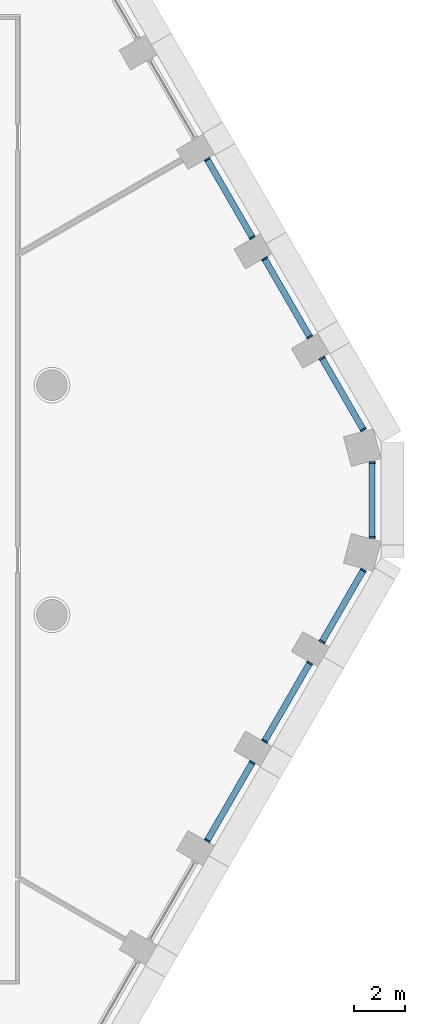
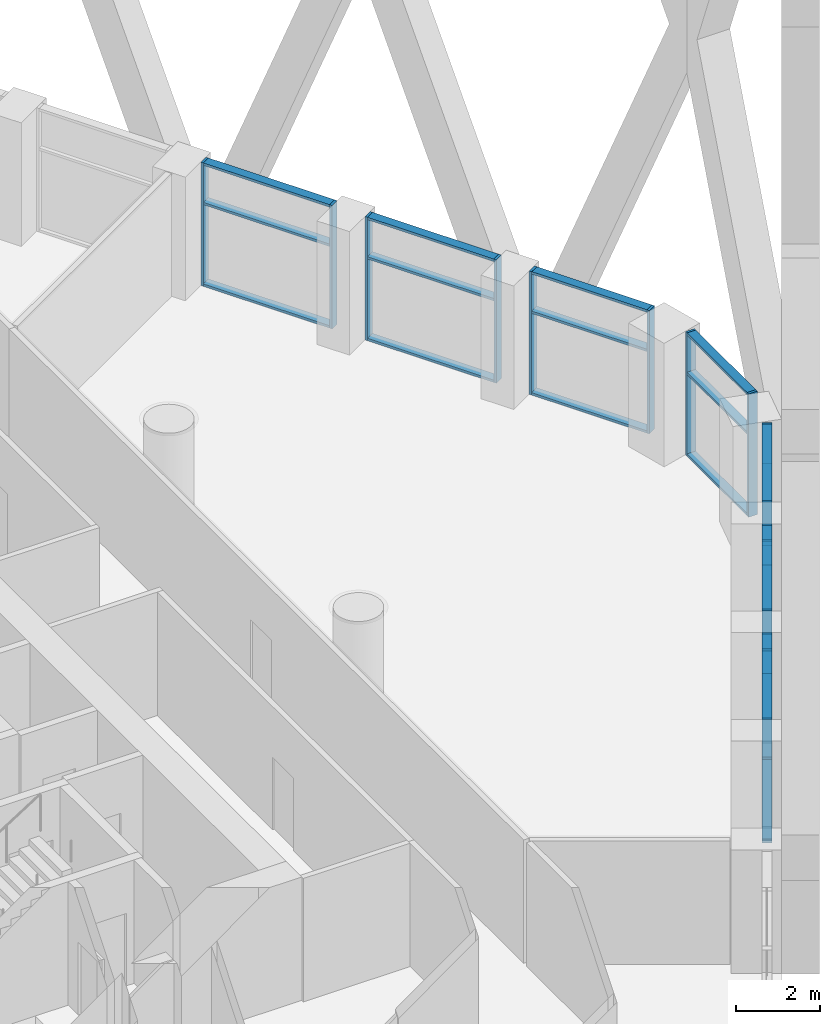
# One storey, part 6 of 24: 35 members, 7 elements without a shape of their own.
"""IFC4 building model written with IfcOpenShell, lengths in metres."""

from ifc_helpers import new_model, si_unit, direction, frame, origin, origin_2d, place, context, subcontext, project, spatial, rectangle, extrude, material, layer, layer_set, material_profile, profile_set, type_object, element, aggregate, save


model = new_model("IFC4")

# Units and contexts
model_context = context("Model", 3, precision=1e-05, world=origin(), true_north=direction((0.0, 1.0)))
body_context = subcontext(model_context, "Body", "Model", "MODEL_VIEW")
ifc_project = project(units=[si_unit("LENGTHUNIT", "METRE"), si_unit("AREAUNIT", "SQUARE_METRE"), si_unit("VOLUMEUNIT", "CUBIC_METRE"), si_unit("PLANEANGLEUNIT", "RADIAN"), si_unit("MASSUNIT", "GRAM", prefix="KILO")], contexts=[model_context])

# Site, building, storey
site_placement = place(None, origin())
site = spatial("IfcSite", under=ifc_project, at=site_placement, CompositionType="ELEMENT")
building_placement = place(site_placement, origin())
building = spatial("IfcBuilding", under=site, at=building_placement, Name="Dhurran Vertical Campus", CompositionType="ELEMENT")
storey_placement = place(building_placement, frame((0.0, 0.0, 132.60009765625)))
storey = spatial("IfcBuildingStorey", under=building, at=storey_placement, Name="L32", CompositionType="ELEMENT", Elevation=132.60009765625)

# Curtain wall, members
ifc_material_1 = material(Name="Aluminium frame with solar-control glass", Category="aluminium")
ifc_layer = layer(ifc_material_1, 0.25)
ifc_layer_set = layer_set([ifc_layer], Name="Aluminium frame with solar-control glass")
curtain_wall_type = type_object("IfcCurtainWallType", Name="Sky lobby glazing system", PredefinedType="NOTDEFINED", material=ifc_layer_set)
curtain_wall_1_placement = place(storey_placement, origin())
curtain_wall_1 = element("IfcCurtainWall", 1, at=curtain_wall_1_placement, inside=storey, type_object=curtain_wall_type, Name="CW3 L32.12", PredefinedType="NOTDEFINED")
ifc_material_2 = material(Name="Aluminium mullion", Category="aluminium")
ifc_material_profile_1 = material_profile(ifc_material_2, rectangle(XDim=0.239990234375, YDim=0.070068359375, at=origin_2d()), Name="Sky lobby glazing system mullion")
ifc_profile_set_1 = profile_set([ifc_material_profile_1], Name="Aluminium mullion")
member_type_1 = type_object("IfcMemberType", Name="Sky lobby glazing system mullion", PredefinedType="MULLION", material=ifc_profile_set_1)
member_1_placement = place(storey_placement, frame((28.5869140625, -13.345947265625, 0.0), z_axis=(0.0, 0.0, 1.0), x_axis=(-0.866023637427, 0.500003059408, 0.0)))
member_1 = element("IfcMember", 2, at=member_1_placement, type_object=member_type_1, Name="CW3 mullion 1", PredefinedType="MULLION", context=body_context, shape_type="SweptSolid", body=[
    extrude(rectangle(XDim=0.239990234375, YDim=0.070068359375, at=origin_2d()), origin(), (0.0, 0.0, 1.0), 3.574951171875),
])
member_2_placement = place(storey_placement, frame((30.351318359375, -10.289794921875, 0.0), z_axis=(0.0, 0.0, 1.0), x_axis=(-0.866023637427, 0.500003059408, 0.0)))
member_2 = element("IfcMember", 3, at=member_2_placement, type_object=member_type_1, Name="CW3 mullion 2", PredefinedType="MULLION", context=body_context, shape_type="SweptSolid", body=[
    extrude(rectangle(XDim=0.239990234375, YDim=0.070068359375, at=origin_2d()), origin(), (0.0, 0.0, 1.0), 3.574951171875),
])

curtain_wall_2_placement = place(storey_placement, origin())
curtain_wall_2 = element("IfcCurtainWall", 4, at=curtain_wall_2_placement, inside=storey, type_object=curtain_wall_type, Name="CW3 L32.13", PredefinedType="NOTDEFINED")
member_3_placement = place(storey_placement, frame((30.8369140625, -9.44873046875, 0.0), z_axis=(0.0, 0.0, 1.0), x_axis=(-0.866023637427, 0.500003059408, 0.0)))
member_3 = element("IfcMember", 5, at=member_3_placement, type_object=member_type_1, Name="CW3 mullion 1", PredefinedType="MULLION", context=body_context, shape_type="SweptSolid", body=[
    extrude(rectangle(XDim=0.239990234375, YDim=0.070068359375, at=origin_2d()), origin(), (0.0, 0.0, 1.0), 3.574951171875),
])
member_4_placement = place(storey_placement, frame((32.601318359375, -6.392578125, 0.0), z_axis=(0.0, 0.0, 1.0), x_axis=(-0.866023637427, 0.500003059408, 0.0)))
member_4 = element("IfcMember", 6, at=member_4_placement, type_object=member_type_1, Name="CW3 mullion 2", PredefinedType="MULLION", context=body_context, shape_type="SweptSolid", body=[
    extrude(rectangle(XDim=0.239990234375, YDim=0.070068359375, at=origin_2d()), origin(), (0.0, 0.0, 1.0), 3.574951171875),
])

curtain_wall_3_placement = place(storey_placement, origin())
curtain_wall_3 = element("IfcCurtainWall", 7, at=curtain_wall_3_placement, inside=storey, type_object=curtain_wall_type, Name="CW3 L32.14", PredefinedType="NOTDEFINED")
member_5_placement = place(storey_placement, frame((33.0869140625, -5.5517578125, 0.0), z_axis=(0.0, 0.0, 1.0), x_axis=(-0.866033927995, 0.499985235344, 0.0)))
member_5 = element("IfcMember", 8, at=member_5_placement, type_object=member_type_1, Name="CW3 mullion 1", PredefinedType="MULLION", context=body_context, shape_type="SweptSolid", body=[
    extrude(rectangle(XDim=0.239990234375, YDim=0.070068359375, at=origin_2d()), origin(), (0.0, 0.0, 1.0), 3.574951171875),
])
member_6_placement = place(storey_placement, frame((34.69873046875, -2.759521484375, 0.0), z_axis=(0.0, 0.0, 1.0), x_axis=(-0.866033927995, 0.499985235344, 0.0)))
member_6 = element("IfcMember", 9, at=member_6_placement, type_object=member_type_1, Name="CW3 mullion 2", PredefinedType="MULLION", context=body_context, shape_type="SweptSolid", body=[
    extrude(rectangle(XDim=0.239990234375, YDim=0.070068359375, at=origin_2d()), origin(), (0.0, 0.0, 1.0), 3.574951171875),
])

curtain_wall_4_placement = place(storey_placement, origin())
curtain_wall_4 = element("IfcCurtainWall", 10, at=curtain_wall_4_placement, inside=storey, type_object=curtain_wall_type, Name="CW3 L32.15", PredefinedType="NOTDEFINED")
member_7_placement = place(storey_placement, frame((35.047119140625, -1.459716796875, 0.0), z_axis=(0.0, 0.0, 1.0), x_axis=(-1.0, 0.0, 0.0)))
member_7 = element("IfcMember", 11, at=member_7_placement, type_object=member_type_1, Name="CW3 mullion 1", PredefinedType="MULLION", context=body_context, shape_type="SweptSolid", body=[
    extrude(rectangle(XDim=0.239990234375, YDim=0.070068359375, at=origin_2d()), origin(), (0.0, 0.0, 1.0), 3.574951171875),
])
member_8_placement = place(storey_placement, frame((35.047119140625, 1.459716796875, 0.0), z_axis=(0.0, 0.0, 1.0), x_axis=(-1.0, 0.0, 0.0)))
member_8 = element("IfcMember", 12, at=member_8_placement, type_object=member_type_1, Name="CW3 mullion 2", PredefinedType="MULLION", context=body_context, shape_type="SweptSolid", body=[
    extrude(rectangle(XDim=0.239990234375, YDim=0.070068359375, at=origin_2d()), origin(), (0.0, 0.0, 1.0), 3.574951171875),
])

curtain_wall_5_placement = place(storey_placement, origin())
curtain_wall_5 = element("IfcCurtainWall", 13, at=curtain_wall_5_placement, inside=storey, type_object=curtain_wall_type, Name="CW3 L32.16", PredefinedType="NOTDEFINED")
member_9_placement = place(storey_placement, frame((34.69873046875, 2.759521484375, 0.0), z_axis=(0.0, 0.0, 1.0), x_axis=(-0.866033927995, -0.499985235344, 0.0)))
member_9 = element("IfcMember", 14, at=member_9_placement, type_object=member_type_1, Name="CW3 mullion 1", PredefinedType="MULLION", context=body_context, shape_type="SweptSolid", body=[
    extrude(rectangle(XDim=0.239990234375, YDim=0.070068359375, at=origin_2d()), origin(), (0.0, 0.0, 1.0), 3.574951171875),
])
member_10_placement = place(storey_placement, frame((33.0869140625, 5.5517578125, 0.0), z_axis=(0.0, 0.0, 1.0), x_axis=(-0.866033927995, -0.499985235344, 0.0)))
member_10 = element("IfcMember", 15, at=member_10_placement, type_object=member_type_1, Name="CW3 mullion 2", PredefinedType="MULLION", context=body_context, shape_type="SweptSolid", body=[
    extrude(rectangle(XDim=0.239990234375, YDim=0.070068359375, at=origin_2d()), origin(), (0.0, 0.0, 1.0), 3.574951171875),
])

curtain_wall_6_placement = place(storey_placement, origin())
curtain_wall_6 = element("IfcCurtainWall", 16, at=curtain_wall_6_placement, inside=storey, type_object=curtain_wall_type, Name="CW3 L32.17", PredefinedType="NOTDEFINED")
member_11_placement = place(storey_placement, frame((32.601318359375, 6.392578125, 0.0), z_axis=(0.0, 0.0, 1.0), x_axis=(-0.866023637427, -0.500003059408, 0.0)))
member_11 = element("IfcMember", 17, at=member_11_placement, type_object=member_type_1, Name="CW3 mullion 1", PredefinedType="MULLION", context=body_context, shape_type="SweptSolid", body=[
    extrude(rectangle(XDim=0.239990234375, YDim=0.070068359375, at=origin_2d()), origin(), (0.0, 0.0, 1.0), 3.574951171875),
])
member_12_placement = place(storey_placement, frame((30.8369140625, 9.44873046875, 0.0), z_axis=(0.0, 0.0, 1.0), x_axis=(-0.866023637427, -0.500003059408, 0.0)))
member_12 = element("IfcMember", 18, at=member_12_placement, type_object=member_type_1, Name="CW3 mullion 2", PredefinedType="MULLION", context=body_context, shape_type="SweptSolid", body=[
    extrude(rectangle(XDim=0.239990234375, YDim=0.070068359375, at=origin_2d()), origin(), (0.0, 0.0, 1.0), 3.574951171875),
])

curtain_wall_7_placement = place(storey_placement, origin())
curtain_wall_7 = element("IfcCurtainWall", 19, at=curtain_wall_7_placement, inside=storey, type_object=curtain_wall_type, Name="CW3 L32.18", PredefinedType="NOTDEFINED")
member_13_placement = place(storey_placement, frame((30.351318359375, 10.289794921875, 0.0), z_axis=(0.0, 0.0, 1.0), x_axis=(-0.866023637427, -0.500003059408, 0.0)))
member_13 = element("IfcMember", 20, at=member_13_placement, type_object=member_type_1, Name="CW3 mullion 1", PredefinedType="MULLION", context=body_context, shape_type="SweptSolid", body=[
    extrude(rectangle(XDim=0.239990234375, YDim=0.070068359375, at=origin_2d()), origin(), (0.0, 0.0, 1.0), 3.574951171875),
])
member_14_placement = place(storey_placement, frame((28.5869140625, 13.345947265625, 0.0), z_axis=(0.0, 0.0, 1.0), x_axis=(-0.866023637427, -0.500003059408, 0.0)))
member_14 = element("IfcMember", 21, at=member_14_placement, type_object=member_type_1, Name="CW3 mullion 2", PredefinedType="MULLION", context=body_context, shape_type="SweptSolid", body=[
    extrude(rectangle(XDim=0.239990234375, YDim=0.070068359375, at=origin_2d()), origin(), (0.0, 0.0, 1.0), 3.574951171875),
])

# Member
ifc_material_3 = material(Name="Aluminium transom", Category="aluminium")
ifc_material_profile_2 = material_profile(ifc_material_3, rectangle(XDim=0.239990234375, YDim=0.070068359375, at=origin_2d()), Name="Sky lobby glazing system transom")
ifc_profile_set_2 = profile_set([ifc_material_profile_2], Name="Aluminium transom")
member_type_2 = type_object("IfcMemberType", Name="Sky lobby glazing system transom", PredefinedType="USERDEFINED", material=ifc_profile_set_2)
member_15_placement = place(storey_placement, frame((28.604248046875, -13.315673828125, 0.034912109375), z_axis=(0.499995352082, 0.866028087245, 0.0), x_axis=(-0.866028087245, 0.499995352082, 0.0)))
member_15 = element("IfcMember", 22, at=member_15_placement, type_object=member_type_2, Name="CW3 transom 1.1", ObjectType="TRANSOM", PredefinedType="USERDEFINED", context=body_context, shape_type="SweptSolid", body=[
    extrude(rectangle(XDim=0.239990234375, YDim=0.070068359375, at=origin_2d()), origin(), (0.0, 0.0, 1.0), 3.458984375),
])

member_16_placement = place(storey_placement, frame((28.604248046875, -13.315673828125, 2.39990234375), z_axis=(0.499995352082, 0.866028087245, 0.0), x_axis=(-0.866028087245, 0.499995352082, 0.0)))
member_16 = element("IfcMember", 23, at=member_16_placement, type_object=member_type_2, Name="CW3 transom 1.2", ObjectType="TRANSOM", PredefinedType="USERDEFINED", context=body_context, shape_type="SweptSolid", body=[
    extrude(rectangle(XDim=0.239990234375, YDim=0.070068359375, at=origin_2d()), origin(), (0.0, 0.0, 1.0), 3.458984375),
])

member_17_placement = place(storey_placement, frame((28.604248046875, -13.315673828125, 3.539794921875), z_axis=(0.499995352082, 0.866028087245, 0.0), x_axis=(-0.866028087245, 0.499995352082, 0.0)))
member_17 = element("IfcMember", 24, at=member_17_placement, type_object=member_type_2, Name="CW3 transom 1.3", ObjectType="TRANSOM", PredefinedType="USERDEFINED", context=body_context, shape_type="SweptSolid", body=[
    extrude(rectangle(XDim=0.239990234375, YDim=0.070068359375, at=origin_2d()), origin(), (0.0, 0.0, 1.0), 3.458984375),
])

aggregate(curtain_wall_1, [member_1, member_2, member_15, member_16, member_17])

member_18_placement = place(storey_placement, frame((30.854248046875, -9.41845703125, 0.034912109375), z_axis=(0.499995352082, 0.866028087245, 0.0), x_axis=(-0.866028087245, 0.499995352082, 0.0)))
member_18 = element("IfcMember", 25, at=member_18_placement, type_object=member_type_2, Name="CW3 transom 1.1", ObjectType="TRANSOM", PredefinedType="USERDEFINED", context=body_context, shape_type="SweptSolid", body=[
    extrude(rectangle(XDim=0.239990234375, YDim=0.070068359375, at=origin_2d()), origin(), (0.0, 0.0, 1.0), 3.458984375),
])

member_19_placement = place(storey_placement, frame((30.854248046875, -9.41845703125, 2.39990234375), z_axis=(0.499995352082, 0.866028087245, 0.0), x_axis=(-0.866028087245, 0.499995352082, 0.0)))
member_19 = element("IfcMember", 26, at=member_19_placement, type_object=member_type_2, Name="CW3 transom 1.2", ObjectType="TRANSOM", PredefinedType="USERDEFINED", context=body_context, shape_type="SweptSolid", body=[
    extrude(rectangle(XDim=0.239990234375, YDim=0.070068359375, at=origin_2d()), origin(), (0.0, 0.0, 1.0), 3.458984375),
])

member_20_placement = place(storey_placement, frame((30.854248046875, -9.41845703125, 3.539794921875), z_axis=(0.499995352082, 0.866028087245, 0.0), x_axis=(-0.866028087245, 0.499995352082, 0.0)))
member_20 = element("IfcMember", 27, at=member_20_placement, type_object=member_type_2, Name="CW3 transom 1.3", ObjectType="TRANSOM", PredefinedType="USERDEFINED", context=body_context, shape_type="SweptSolid", body=[
    extrude(rectangle(XDim=0.239990234375, YDim=0.070068359375, at=origin_2d()), origin(), (0.0, 0.0, 1.0), 3.458984375),
])

aggregate(curtain_wall_2, [member_3, member_4, member_18, member_19, member_20])

member_21_placement = place(storey_placement, frame((33.104248046875, -5.521484375, 0.034912109375), z_axis=(0.500001615989, 0.86602447079, 0.0), x_axis=(-0.86602447079, 0.500001615989, 0.0)))
member_21 = element("IfcMember", 28, at=member_21_placement, type_object=member_type_2, Name="CW3 transom 1.1", ObjectType="TRANSOM", PredefinedType="USERDEFINED", context=body_context, shape_type="SweptSolid", body=[
    extrude(rectangle(XDim=0.239990234375, YDim=0.070068359375, at=origin_2d()), origin(), (0.0, 0.0, 1.0), 3.154296875),
])

member_22_placement = place(storey_placement, frame((33.104248046875, -5.521484375, 2.39990234375), z_axis=(0.500001615989, 0.86602447079, 0.0), x_axis=(-0.86602447079, 0.500001615989, 0.0)))
member_22 = element("IfcMember", 29, at=member_22_placement, type_object=member_type_2, Name="CW3 transom 1.2", ObjectType="TRANSOM", PredefinedType="USERDEFINED", context=body_context, shape_type="SweptSolid", body=[
    extrude(rectangle(XDim=0.239990234375, YDim=0.070068359375, at=origin_2d()), origin(), (0.0, 0.0, 1.0), 3.154296875),
])

member_23_placement = place(storey_placement, frame((33.104248046875, -5.521484375, 3.539794921875), z_axis=(0.500001615989, 0.86602447079, 0.0), x_axis=(-0.86602447079, 0.500001615989, 0.0)))
member_23 = element("IfcMember", 30, at=member_23_placement, type_object=member_type_2, Name="CW3 transom 1.3", ObjectType="TRANSOM", PredefinedType="USERDEFINED", context=body_context, shape_type="SweptSolid", body=[
    extrude(rectangle(XDim=0.239990234375, YDim=0.070068359375, at=origin_2d()), origin(), (0.0, 0.0, 1.0), 3.154296875),
])

aggregate(curtain_wall_3, [member_5, member_6, member_21, member_22, member_23])

member_24_placement = place(storey_placement, frame((35.047119140625, -1.424560546875, 0.034912109375), z_axis=(0.0, 1.0, 0.0), x_axis=(-1.0, 0.0, 0.0)))
member_24 = element("IfcMember", 31, at=member_24_placement, type_object=member_type_2, Name="CW3 transom 1.1", ObjectType="TRANSOM", PredefinedType="USERDEFINED", context=body_context, shape_type="SweptSolid", body=[
    extrude(rectangle(XDim=0.239990234375, YDim=0.070068359375, at=origin_2d()), origin(), (0.0, 0.0, 1.0), 2.84912109375),
])

member_25_placement = place(storey_placement, frame((35.047119140625, -1.424560546875, 2.39990234375), z_axis=(0.0, 1.0, 0.0), x_axis=(-1.0, 0.0, 0.0)))
member_25 = element("IfcMember", 32, at=member_25_placement, type_object=member_type_2, Name="CW3 transom 1.2", ObjectType="TRANSOM", PredefinedType="USERDEFINED", context=body_context, shape_type="SweptSolid", body=[
    extrude(rectangle(XDim=0.239990234375, YDim=0.070068359375, at=origin_2d()), origin(), (0.0, 0.0, 1.0), 2.84912109375),
])

member_26_placement = place(storey_placement, frame((35.047119140625, -1.424560546875, 3.539794921875), z_axis=(0.0, 1.0, 0.0), x_axis=(-1.0, 0.0, 0.0)))
member_26 = element("IfcMember", 33, at=member_26_placement, type_object=member_type_2, Name="CW3 transom 1.3", ObjectType="TRANSOM", PredefinedType="USERDEFINED", context=body_context, shape_type="SweptSolid", body=[
    extrude(rectangle(XDim=0.239990234375, YDim=0.070068359375, at=origin_2d()), origin(), (0.0, 0.0, 1.0), 2.84912109375),
])

aggregate(curtain_wall_4, [member_7, member_8, member_24, member_25, member_26])

member_27_placement = place(storey_placement, frame((34.681396484375, 2.789794921875, 0.034912109375), z_axis=(-0.500001615989, 0.86602447079, 0.0), x_axis=(-0.86602447079, -0.500001615989, 0.0)))
member_27 = element("IfcMember", 34, at=member_27_placement, type_object=member_type_2, Name="CW3 transom 1.1", ObjectType="TRANSOM", PredefinedType="USERDEFINED", context=body_context, shape_type="SweptSolid", body=[
    extrude(rectangle(XDim=0.239990234375, YDim=0.070068359375, at=origin_2d()), origin(), (0.0, 0.0, 1.0), 3.154296875),
])

member_28_placement = place(storey_placement, frame((34.681396484375, 2.789794921875, 2.39990234375), z_axis=(-0.500001615989, 0.86602447079, 0.0), x_axis=(-0.86602447079, -0.500001615989, 0.0)))
member_28 = element("IfcMember", 35, at=member_28_placement, type_object=member_type_2, Name="CW3 transom 1.2", ObjectType="TRANSOM", PredefinedType="USERDEFINED", context=body_context, shape_type="SweptSolid", body=[
    extrude(rectangle(XDim=0.239990234375, YDim=0.070068359375, at=origin_2d()), origin(), (0.0, 0.0, 1.0), 3.154296875),
])

member_29_placement = place(storey_placement, frame((34.681396484375, 2.789794921875, 3.539794921875), z_axis=(-0.500001615989, 0.86602447079, 0.0), x_axis=(-0.86602447079, -0.500001615989, 0.0)))
member_29 = element("IfcMember", 36, at=member_29_placement, type_object=member_type_2, Name="CW3 transom 1.3", ObjectType="TRANSOM", PredefinedType="USERDEFINED", context=body_context, shape_type="SweptSolid", body=[
    extrude(rectangle(XDim=0.239990234375, YDim=0.070068359375, at=origin_2d()), origin(), (0.0, 0.0, 1.0), 3.154296875),
])

aggregate(curtain_wall_5, [member_9, member_10, member_27, member_28, member_29])

member_30_placement = place(storey_placement, frame((32.583740234375, 6.4228515625, 0.034912109375), z_axis=(-0.499995352082, 0.866028087245, 0.0), x_axis=(-0.866028087245, -0.499995352082, 0.0)))
member_30 = element("IfcMember", 37, at=member_30_placement, type_object=member_type_2, Name="CW3 transom 1.1", ObjectType="TRANSOM", PredefinedType="USERDEFINED", context=body_context, shape_type="SweptSolid", body=[
    extrude(rectangle(XDim=0.239990234375, YDim=0.070068359375, at=origin_2d()), origin(), (0.0, 0.0, 1.0), 3.458984375),
])

member_31_placement = place(storey_placement, frame((32.583740234375, 6.4228515625, 2.39990234375), z_axis=(-0.499995352082, 0.866028087245, 0.0), x_axis=(-0.866028087245, -0.499995352082, 0.0)))
member_31 = element("IfcMember", 38, at=member_31_placement, type_object=member_type_2, Name="CW3 transom 1.2", ObjectType="TRANSOM", PredefinedType="USERDEFINED", context=body_context, shape_type="SweptSolid", body=[
    extrude(rectangle(XDim=0.239990234375, YDim=0.070068359375, at=origin_2d()), origin(), (0.0, 0.0, 1.0), 3.458984375),
])

member_32_placement = place(storey_placement, frame((32.583740234375, 6.4228515625, 3.539794921875), z_axis=(-0.499995352082, 0.866028087245, 0.0), x_axis=(-0.866028087245, -0.499995352082, 0.0)))
member_32 = element("IfcMember", 39, at=member_32_placement, type_object=member_type_2, Name="CW3 transom 1.3", ObjectType="TRANSOM", PredefinedType="USERDEFINED", context=body_context, shape_type="SweptSolid", body=[
    extrude(rectangle(XDim=0.239990234375, YDim=0.070068359375, at=origin_2d()), origin(), (0.0, 0.0, 1.0), 3.458984375),
])

aggregate(curtain_wall_6, [member_11, member_12, member_30, member_31, member_32])

member_33_placement = place(storey_placement, frame((30.333740234375, 10.320068359375, 0.034912109375), z_axis=(-0.499995352082, 0.866028087245, 0.0), x_axis=(-0.866028087245, -0.499995352082, 0.0)))
member_33 = element("IfcMember", 40, at=member_33_placement, type_object=member_type_2, Name="CW3 transom 1.1", ObjectType="TRANSOM", PredefinedType="USERDEFINED", context=body_context, shape_type="SweptSolid", body=[
    extrude(rectangle(XDim=0.239990234375, YDim=0.070068359375, at=origin_2d()), origin(), (0.0, 0.0, 1.0), 3.458984375),
])

member_34_placement = place(storey_placement, frame((30.333740234375, 10.320068359375, 2.39990234375), z_axis=(-0.499995352082, 0.866028087245, 0.0), x_axis=(-0.866028087245, -0.499995352082, 0.0)))
member_34 = element("IfcMember", 41, at=member_34_placement, type_object=member_type_2, Name="CW3 transom 1.2", ObjectType="TRANSOM", PredefinedType="USERDEFINED", context=body_context, shape_type="SweptSolid", body=[
    extrude(rectangle(XDim=0.239990234375, YDim=0.070068359375, at=origin_2d()), origin(), (0.0, 0.0, 1.0), 3.458984375),
])

member_35_placement = place(storey_placement, frame((30.333740234375, 10.320068359375, 3.539794921875), z_axis=(-0.499995352082, 0.866028087245, 0.0), x_axis=(-0.866028087245, -0.499995352082, 0.0)))
member_35 = element("IfcMember", 42, at=member_35_placement, type_object=member_type_2, Name="CW3 transom 1.3", ObjectType="TRANSOM", PredefinedType="USERDEFINED", context=body_context, shape_type="SweptSolid", body=[
    extrude(rectangle(XDim=0.239990234375, YDim=0.070068359375, at=origin_2d()), origin(), (0.0, 0.0, 1.0), 3.458984375),
])

aggregate(curtain_wall_7, [member_13, member_14, member_33, member_34, member_35])

save(model, "model.ifc")
